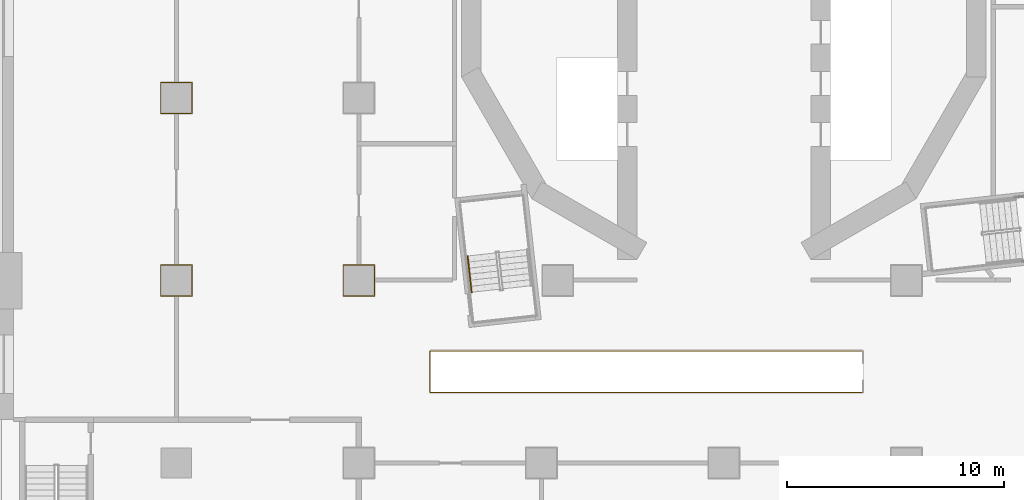
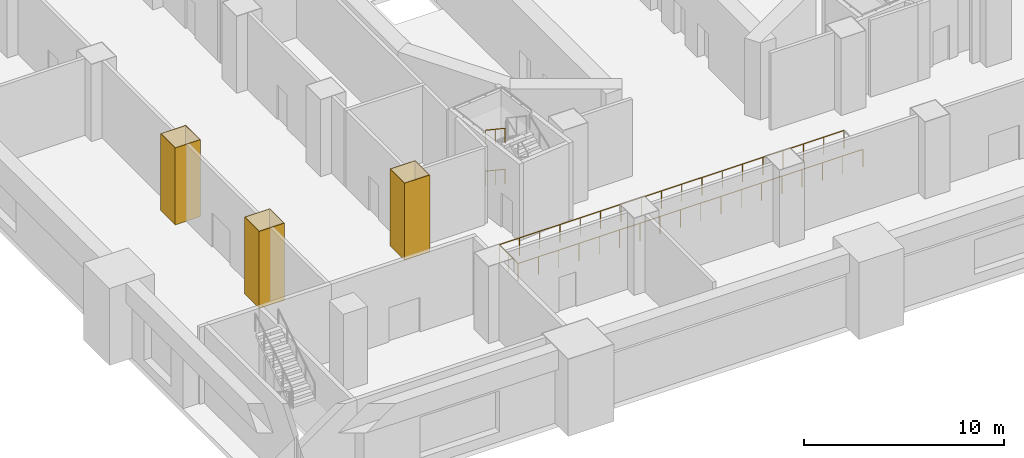
# One storey, part 10 of 19: 3 coverings, 3 railings.
"""IFC4 building model written with IfcOpenShell, lengths in metres."""

from ifc_helpers import new_model, si_unit, direction, frame, origin, origin_2d, place, context, subcontext, project, spatial, polyline, circle, outline, extrude, material, layer, layer_set, type_object, element, save


model = new_model("IFC4")

# Units and contexts
model_context = context("Model", 3, precision=1e-05, world=origin(), true_north=direction((0.0, 1.0)))
body_context = subcontext(model_context, "Body", "Model", "MODEL_VIEW")
ifc_project = project(units=[si_unit("LENGTHUNIT", "METRE"), si_unit("AREAUNIT", "SQUARE_METRE"), si_unit("VOLUMEUNIT", "CUBIC_METRE"), si_unit("PLANEANGLEUNIT", "RADIAN"), si_unit("MASSUNIT", "GRAM", prefix="KILO")], contexts=[model_context])

# Site, building, storey
site_placement = place(None, origin())
site = spatial("IfcSite", under=ifc_project, at=site_placement, CompositionType="ELEMENT")
building_placement = place(site_placement, origin())
building = spatial("IfcBuilding", under=site, at=building_placement, Name="Cantera Rosa Tower", CompositionType="ELEMENT")
storey_placement = place(building_placement, frame((0.0, 0.0, 12.0)))
storey = spatial("IfcBuildingStorey", under=building, at=storey_placement, Name="L01", CompositionType="ELEMENT", Elevation=12.0)

# Coverings
ifc_material_1 = material(Name="Plaster")
ifc_layer = layer(ifc_material_1, 0.030029296875)
ifc_layer_set = layer_set([ifc_layer], Name="Column casing 30")
covering_type = type_object("IfcCoveringType", Name="Column casing 30", PredefinedType="CLADDING", material=ifc_layer_set)
covering_1_placement = place(storey_placement, origin())
element("IfcCovering", 1, at=covering_1_placement, inside=storey, type_object=covering_type, Name="Column casing L01-001", PredefinedType="CLADDING", context=body_context, shape_type="SweptSolid", body=[
    extrude(outline(polyline([(-25.929931640625, -13.330078125), (-24.469970703125, -13.330078125), (-24.469970703125, -11.8701171875), (-25.929931640625, -11.8701171875), (-25.929931640625, -13.330078125)]), holes=[polyline([(-24.5, -11.89990234375), (-25.89990234375, -11.89990234375), (-25.89990234375, -13.300048828125), (-24.5, -13.300048828125), (-24.5, -11.89990234375)])]), origin(), (0.0, 0.0, 1.0), 4.699951171875),
])
covering_2_placement = place(storey_placement, origin())
element("IfcCovering", 2, at=covering_2_placement, inside=storey, type_object=covering_type, Name="Column casing L01-002", PredefinedType="CLADDING", context=body_context, shape_type="SweptSolid", body=[
    extrude(outline(polyline([(-25.929931640625, -4.929931640625), (-24.469970703125, -4.929931640625), (-24.469970703125, -3.469970703125), (-25.929931640625, -3.469970703125), (-25.929931640625, -4.929931640625)]), holes=[polyline([(-24.5, -3.5), (-25.89990234375, -3.5), (-25.89990234375, -4.89990234375), (-24.5, -4.89990234375), (-24.5, -3.5)])]), origin(), (0.0, 0.0, 1.0), 4.699951171875),
])
covering_3_placement = place(storey_placement, origin())
element("IfcCovering", 3, at=covering_3_placement, inside=storey, type_object=covering_type, Name="Column casing L01-007", PredefinedType="CLADDING", context=body_context, shape_type="SweptSolid", body=[
    extrude(outline(polyline([(-17.530029296875, -13.330078125), (-16.070068359375, -13.330078125), (-16.070068359375, -11.8701171875), (-17.530029296875, -11.8701171875), (-17.530029296875, -13.330078125)]), holes=[polyline([(-16.10009765625, -11.89990234375), (-17.5, -11.89990234375), (-17.5, -13.300048828125), (-16.10009765625, -13.300048828125), (-16.10009765625, -11.89990234375)])]), origin(), (0.0, 0.0, 1.0), 4.699951171875),
])

# Railings
ifc_material_2 = material(Name="Steel S355J2 (EN 10025-2)", Category="steel")
railing_type_1 = type_object("IfcRailingType", Name="STAIR HANDRAIL 900", PredefinedType="HANDRAIL", material=ifc_material_2)
for number, where, name in (
    (4, (-11.797607421875, -11.473388671875, 1.428466796875), "L01 ST-13 stair handrail 2"),
    (5, (-11.797607421875, -11.473388671875, 3.928466796875), "L01 ST-13 stair handrail 4"),
):
    element("IfcRailing", number, at=place(storey_placement, frame(where)), inside=storey, type_object=railing_type_1, Name=name, PredefinedType="HANDRAIL", context=body_context, shape_type="SweptSolid", body=[
        extrude(circle(Radius=0.02392578125, at=origin_2d()), frame((0.0, 0.0, 0.8759765625), z_axis=(0.09311820824, -0.837941350202, 0.537757652586), x_axis=(0.993881962282, 0.110447476434, 0.0)), (0.0, 0.0, 1.0), 1.99267578125),
        extrude(circle(Radius=0.02099609375, at=origin_2d()), origin(), (0.0, 0.0, 1.0), 0.851806640625),
        extrude(circle(Radius=0.02099609375, at=origin_2d()), frame((0.0927734375, -0.8349609375, 0.53564453125)), (0.0, 0.0, 1.0), 0.851806640625),
        extrude(circle(Radius=0.02099609375, at=origin_2d()), frame((0.185546875, -1.669677734375, 1.071533203125)), (0.0, 0.0, 1.0), 0.851806640625),
    ])
ifc_material_3 = material(Name="Steel S355J2 (EN 10025-2)", Category="steel")
railing_type_2 = type_object("IfcRailingType", Name="Well guard 1100", PredefinedType="GUARDRAIL", material=ifc_material_3)
railing_placement = place(storey_placement, frame((6.39990234375, -17.75, 0.0)))
element("IfcRailing", 6, at=railing_placement, inside=storey, type_object=railing_type_2, Name="Guard round escalator well L01", PredefinedType="GUARDRAIL", context=body_context, shape_type="SweptSolid", body=[
    extrude(circle(Radius=0.02392578125, at=origin_2d()), frame((0.0, 0.0, 1.076171875), z_axis=(-1.0, 0.0, 0.0), x_axis=(0.0, -1.0, 0.0)), (0.0, 0.0, 1.0), 19.9189453125),
    extrude(circle(Radius=0.02392578125, at=origin_2d()), frame((-19.9189453125, 0.0, 1.076171875), z_axis=(0.0, 1.0, 0.0), x_axis=(-1.0, 0.0, 0.0)), (0.0, 0.0, 1.0), 1.89990234375),
    extrude(circle(Radius=0.02392578125, at=origin_2d()), frame((-19.9189453125, 1.89990234375, 1.076171875), z_axis=(1.0, 0.0, 0.0), x_axis=(0.0, 1.0, 0.0)), (0.0, 0.0, 1.0), 19.9189453125),
    extrude(circle(Radius=0.02099609375, at=origin_2d()), origin(), (0.0, 0.0, 1.0), 1.052001953125),
    extrude(circle(Radius=0.02099609375, at=origin_2d()), frame((-1.171630859375, 0.0, 0.0)), (0.0, 0.0, 1.0), 1.052001953125),
    extrude(circle(Radius=0.02099609375, at=origin_2d()), frame((-2.343505859375, 0.0, 0.0)), (0.0, 0.0, 1.0), 1.052001953125),
    extrude(circle(Radius=0.02099609375, at=origin_2d()), frame((-3.51513671875, 0.0, 0.0)), (0.0, 0.0, 1.0), 1.052001953125),
    extrude(circle(Radius=0.02099609375, at=origin_2d()), frame((-4.686767578125, 0.0, 0.0)), (0.0, 0.0, 1.0), 1.052001953125),
    extrude(circle(Radius=0.02099609375, at=origin_2d()), frame((-5.8583984375, 0.0, 0.0)), (0.0, 0.0, 1.0), 1.052001953125),
    extrude(circle(Radius=0.02099609375, at=origin_2d()), frame((-7.0302734375, 0.0, 0.0)), (0.0, 0.0, 1.0), 1.052001953125),
    extrude(circle(Radius=0.02099609375, at=origin_2d()), frame((-8.201904296875, 0.0, 0.0)), (0.0, 0.0, 1.0), 1.052001953125),
    extrude(circle(Radius=0.02099609375, at=origin_2d()), frame((-9.37353515625, 0.0, 0.0)), (0.0, 0.0, 1.0), 1.052001953125),
    extrude(circle(Radius=0.02099609375, at=origin_2d()), frame((-10.54541015625, 0.0, 0.0)), (0.0, 0.0, 1.0), 1.052001953125),
    extrude(circle(Radius=0.02099609375, at=origin_2d()), frame((-11.717041015625, 0.0, 0.0)), (0.0, 0.0, 1.0), 1.052001953125),
    extrude(circle(Radius=0.02099609375, at=origin_2d()), frame((-12.888671875, 0.0, 0.0)), (0.0, 0.0, 1.0), 1.052001953125),
    extrude(circle(Radius=0.02099609375, at=origin_2d()), frame((-14.060546875, 0.0, 0.0)), (0.0, 0.0, 1.0), 1.052001953125),
    extrude(circle(Radius=0.02099609375, at=origin_2d()), frame((-15.232177734375, 0.0, 0.0)), (0.0, 0.0, 1.0), 1.052001953125),
    extrude(circle(Radius=0.02099609375, at=origin_2d()), frame((-16.40380859375, 0.0, 0.0)), (0.0, 0.0, 1.0), 1.052001953125),
    extrude(circle(Radius=0.02099609375, at=origin_2d()), frame((-17.575439453125, 0.0, 0.0)), (0.0, 0.0, 1.0), 1.052001953125),
    extrude(circle(Radius=0.02099609375, at=origin_2d()), frame((-18.747314453125, 0.0, 0.0)), (0.0, 0.0, 1.0), 1.052001953125),
    extrude(circle(Radius=0.02099609375, at=origin_2d()), frame((-19.9189453125, 0.0, 0.0)), (0.0, 0.0, 1.0), 1.052001953125),
    extrude(circle(Radius=0.02099609375, at=origin_2d()), frame((-19.9189453125, 0.949951171875, 0.0)), (0.0, 0.0, 1.0), 1.052001953125),
    extrude(circle(Radius=0.02099609375, at=origin_2d()), frame((-19.9189453125, 1.89990234375, 0.0)), (0.0, 0.0, 1.0), 1.052001953125),
    extrude(circle(Radius=0.02099609375, at=origin_2d()), frame((-18.747314453125, 1.89990234375, 0.0)), (0.0, 0.0, 1.0), 1.052001953125),
    extrude(circle(Radius=0.02099609375, at=origin_2d()), frame((-17.575439453125, 1.89990234375, 0.0)), (0.0, 0.0, 1.0), 1.052001953125),
    extrude(circle(Radius=0.02099609375, at=origin_2d()), frame((-16.40380859375, 1.89990234375, 0.0)), (0.0, 0.0, 1.0), 1.052001953125),
    extrude(circle(Radius=0.02099609375, at=origin_2d()), frame((-15.232177734375, 1.89990234375, 0.0)), (0.0, 0.0, 1.0), 1.052001953125),
    extrude(circle(Radius=0.02099609375, at=origin_2d()), frame((-14.060546875, 1.89990234375, 0.0)), (0.0, 0.0, 1.0), 1.052001953125),
    extrude(circle(Radius=0.02099609375, at=origin_2d()), frame((-12.888671875, 1.89990234375, 0.0)), (0.0, 0.0, 1.0), 1.052001953125),
    extrude(circle(Radius=0.02099609375, at=origin_2d()), frame((-11.717041015625, 1.89990234375, 0.0)), (0.0, 0.0, 1.0), 1.052001953125),
    extrude(circle(Radius=0.02099609375, at=origin_2d()), frame((-10.54541015625, 1.89990234375, 0.0)), (0.0, 0.0, 1.0), 1.052001953125),
    extrude(circle(Radius=0.02099609375, at=origin_2d()), frame((-9.37353515625, 1.89990234375, 0.0)), (0.0, 0.0, 1.0), 1.052001953125),
    extrude(circle(Radius=0.02099609375, at=origin_2d()), frame((-8.201904296875, 1.89990234375, 0.0)), (0.0, 0.0, 1.0), 1.052001953125),
    extrude(circle(Radius=0.02099609375, at=origin_2d()), frame((-7.0302734375, 1.89990234375, 0.0)), (0.0, 0.0, 1.0), 1.052001953125),
    extrude(circle(Radius=0.02099609375, at=origin_2d()), frame((-5.8583984375, 1.89990234375, 0.0)), (0.0, 0.0, 1.0), 1.052001953125),
    extrude(circle(Radius=0.02099609375, at=origin_2d()), frame((-4.686767578125, 1.89990234375, 0.0)), (0.0, 0.0, 1.0), 1.052001953125),
    extrude(circle(Radius=0.02099609375, at=origin_2d()), frame((-3.51513671875, 1.89990234375, 0.0)), (0.0, 0.0, 1.0), 1.052001953125),
    extrude(circle(Radius=0.02099609375, at=origin_2d()), frame((-2.343505859375, 1.89990234375, 0.0)), (0.0, 0.0, 1.0), 1.052001953125),
    extrude(circle(Radius=0.02099609375, at=origin_2d()), frame((-1.171630859375, 1.89990234375, 0.0)), (0.0, 0.0, 1.0), 1.052001953125),
    extrude(circle(Radius=0.02099609375, at=origin_2d()), frame((0.0, 1.89990234375, 0.0)), (0.0, 0.0, 1.0), 1.052001953125),
])

save(model, "model.ifc")
